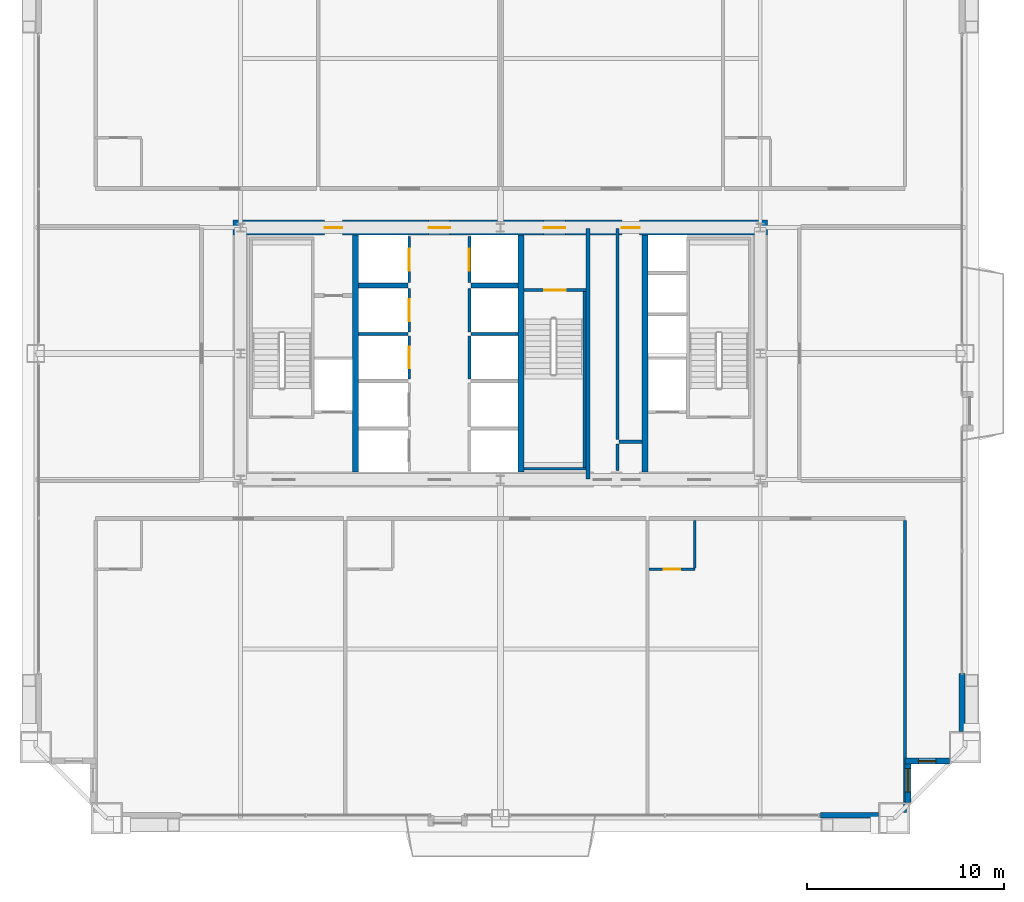
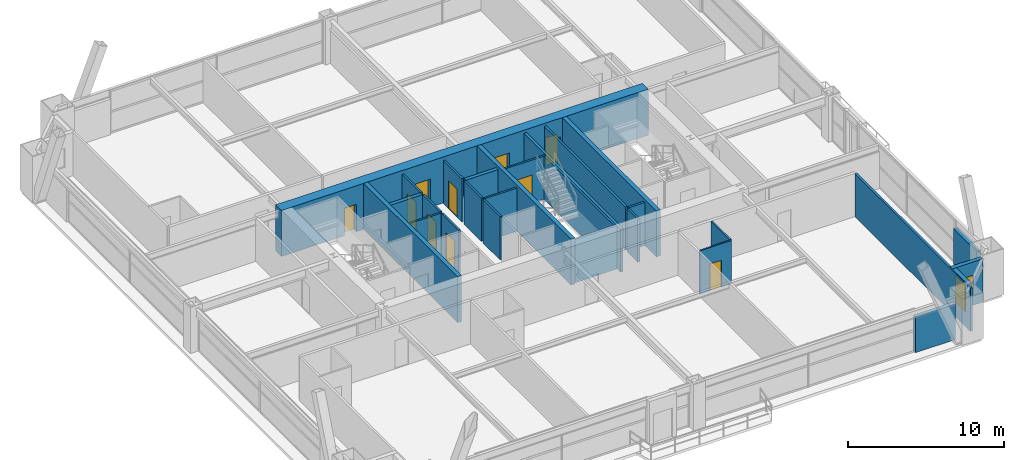
# One storey, part 40 of 43: 28 walls, 10 doors, 2 windows, 12 openings.
"""IFC4 building model written with IfcOpenShell, lengths in metres."""

from ifc_helpers import new_model, si_unit, direction, frame, frame_2d, origin, place, context, subcontext, project, spatial, rectangle, extrude, source, transform, mapped, material, layer, layer_set, type_object, element, fill, save


model = new_model("IFC4")

# Units and contexts
model_context = context("Model", 3, precision=1e-05, world=origin(), true_north=direction((0.0, 1.0)))
body_context = subcontext(model_context, "Body", "Model", "MODEL_VIEW")
ifc_project = project(units=[si_unit("LENGTHUNIT", "METRE"), si_unit("AREAUNIT", "SQUARE_METRE"), si_unit("VOLUMEUNIT", "CUBIC_METRE"), si_unit("PLANEANGLEUNIT", "RADIAN"), si_unit("MASSUNIT", "GRAM", prefix="KILO"), si_unit("THERMODYNAMICTEMPERATUREUNIT", "KELVIN"), si_unit("POWERUNIT", "WATT")], contexts=[model_context])

# Site, building, storey
site_placement = place(None, origin())
site = spatial("IfcSite", under=ifc_project, at=site_placement, CompositionType="ELEMENT")
building_placement = place(site_placement, origin())
building = spatial("IfcBuilding", under=site, at=building_placement, Name="Yuzanri Waterfront Tower", CompositionType="ELEMENT")
storey_placement = place(building_placement, frame((0.0, 0.0, 101.0)))
storey = spatial("IfcBuildingStorey", under=building, at=storey_placement, Name="L26", CompositionType="ELEMENT", Elevation=101.0)

# Wall, opening, door
ifc_material_1 = material(Name="Moisture-Resistant Gypsum Stud Wall", Category="gypsum")
ifc_layer_1 = layer(ifc_material_1, 0.1201171875)
ifc_layer_set_1 = layer_set([ifc_layer_1], Name="Moisture-Resistant Gypsum Stud Wall")
wall_type_1 = type_object("IfcWallType", Name="Bathroom and Kitchen Wet Partition 120", PredefinedType="PARTITIONING", material=ifc_layer_set_1)
wall_1_placement = place(storey_placement, frame((44.550048828125, 14.840087890625, 0.0), z_axis=(0.0, 0.0, 1.0), x_axis=(1.0, 0.0, 0.0)))
wall_1 = element("IfcWall", 1, at=wall_1_placement, inside=storey, type_object=wall_type_1, Name="L26 Partition UW-L26-S3-BS", PredefinedType="PARTITIONING", context=body_context, shape_type="SweptSolid", body=[
    extrude(rectangle(XDim=2.329833984375, YDim=0.1201171875, at=frame_2d((1.1650390625, 0.0))), origin(), (0.0, 0.0, 1.0), 3.3798828125),
])
opening_1_placement = place(wall_1_placement, frame((0.739990234375, 0.0, 0.0)))
opening_1 = element("IfcOpeningElement", 2, at=opening_1_placement, cuts=wall_1, Name="Opening ID-0850", PredefinedType="OPENING", context=body_context, shape_type="SweptSolid", body=[
    extrude(rectangle(XDim=0.85009765625, YDim=2.10009765625, at=frame_2d((0.425048828125, 1.050048828125))), frame((0.0, 0.074951171875, 0.0), z_axis=(0.0, -1.0, 0.0), x_axis=(1.0, 0.0, 0.0)), (0.0, 0.0, 1.0), 0.14990234375),
])
ifc_material_2 = material(Name="Moisture-Resistant Lacquered Timber", Category="wood")
door_type_1 = type_object("IfcDoorType", Name="En-Suite Bathroom and Kitchen Swing Door 850x2100", OperationType="NOTDEFINED", PredefinedType="DOOR", material=ifc_material_2)
shared_shape_1 = source(origin(), body_context, "Body", "SweptSolid", [
    extrude(rectangle(XDim=0.85009765625, YDim=2.10009765625, at=frame_2d((0.425048828125, 1.050048828125))), frame((0.0, 0.02490234375, 0.0), z_axis=(0.0, -1.0, 0.0), x_axis=(1.0, 0.0, 0.0)), (0.0, 0.0, 1.0), 0.050048828125),
])
door_1_placement = place(opening_1_placement, origin())
door_1 = element("IfcDoor", 3, at=door_1_placement, inside=storey, type_object=door_type_1, Name="L26 Guest En-Suite Door", OperationType="SINGLE_SWING_LEFT", OverallHeight=2.10009765625, OverallWidth=0.85009765625, PredefinedType="DOOR", context=body_context, shape_type="MappedRepresentation", body=[
    mapped(shared_shape_1, transform((0.0, 0.0, 0.0), scale=1.0)),
])
fill(opening_1, door_1)

# Wall, opening, window
ifc_material_3 = material(Name="Honed Chongqing Dark Basalt Stone", Category="masonry")
ifc_layer_2 = layer(ifc_material_3, 0.300048828125)
ifc_layer_set_2 = layer_set([ifc_layer_2], Name="Honed Chongqing Dark Basalt Stone")
wall_type_2 = type_object("IfcWallType", Name="Bronze Rainscreen Insulated Spandrel Portal Wall 300", PredefinedType="SOLIDWALL", material=ifc_layer_set_2)
wall_2_placement = place(storey_placement, frame((57.550048828125, 5.10009765625, 0.0), z_axis=(0.0, 0.0, 1.0), x_axis=(1.0, 0.0, 0.0)))
wall_2 = element("IfcWall", 4, at=wall_2_placement, inside=storey, type_object=wall_type_2, Name="L26 Notched Corner Masonry Wall SE-X", PredefinedType="SOLIDWALL", context=body_context, shape_type="SweptSolid", body=[
    extrude(rectangle(XDim=2.25, YDim=0.300048828125, at=frame_2d((1.125, 0.0))), origin(), (0.0, 0.0, 1.0), 3.3798828125),
])
opening_2_placement = place(wall_2_placement, frame((0.675048828125, 0.0, 0.85009765625)))
opening_2 = element("IfcOpeningElement", 5, at=opening_2_placement, cuts=wall_2, Name="Opening WN-05", PredefinedType="OPENING", context=body_context, shape_type="SweptSolid", body=[
    extrude(rectangle(XDim=0.89990234375, YDim=1.5, at=frame_2d((0.449951171875, 0.75))), frame((0.0, 0.1650390625, 0.0), z_axis=(0.0, -1.0, 0.0), x_axis=(1.0, 0.0, 0.0)), (0.0, 0.0, 1.0), 0.329833984375),
])
ifc_material_4 = material(Name="Double-Silver Low-E Insulated Glass", Category="glass")
window_type_1 = type_object("IfcWindowType", Name="Anodized Bronze Service and Stairwell Smoke-Vent Window 900x1500", PartitioningType="SINGLE_PANEL", PredefinedType="WINDOW", material=ifc_material_4)
shared_shape_2 = source(origin(), body_context, "Body", "SweptSolid", [
    extrude(rectangle(XDim=0.89990234375, YDim=1.5, at=frame_2d((0.449951171875, 0.75))), frame((0.0, 0.030029296875, 0.0), z_axis=(0.0, -1.0, 0.0), x_axis=(1.0, 0.0, 0.0)), (0.0, 0.0, 1.0), 0.06005859375),
])
window_1_placement = place(opening_2_placement, origin())
window_1 = element("IfcWindow", 6, at=window_1_placement, inside=storey, type_object=window_type_1, Name="L26 Notched Corner Window SE-X", OverallHeight=1.5, OverallWidth=0.89990234375, PartitioningType="SINGLE_PANEL", PredefinedType="WINDOW", context=body_context, shape_type="MappedRepresentation", body=[
    mapped(shared_shape_2, transform((0.0, 0.0, 0.0), scale=1.0)),
])
fill(opening_2, window_1)

wall_3_placement = place(storey_placement, frame((57.699951171875, 3.0, 0.0), z_axis=(0.0, 0.0, 1.0), x_axis=(0.0, 1.0, 0.0)))
wall_3 = element("IfcWall", 7, at=wall_3_placement, inside=storey, type_object=wall_type_2, Name="L26 Notched Corner Masonry Wall SE-Y", PredefinedType="SOLIDWALL", context=body_context, shape_type="SweptSolid", body=[
    extrude(rectangle(XDim=2.25, YDim=0.300048828125, at=frame_2d((1.125, 0.0))), origin(), (0.0, 0.0, 1.0), 3.3798828125),
])
opening_3_placement = place(wall_3_placement, frame((0.52490234375, 0.0, 0.85009765625)))
opening_3 = element("IfcOpeningElement", 8, at=opening_3_placement, cuts=wall_3, Name="Opening WN-02", PredefinedType="OPENING", context=body_context, shape_type="SweptSolid", body=[
    extrude(rectangle(XDim=1.199951171875, YDim=2.10009765625, at=frame_2d((0.60009765625, 1.050048828125))), frame((0.0, 0.1650390625, 0.0), z_axis=(0.0, -1.0, 0.0), x_axis=(1.0, 0.0, 0.0)), (0.0, 0.0, 1.0), 0.329833984375),
])
ifc_material_5 = material(Name="Double-Silver Low-E Insulated Glass", Category="glass")
window_type_2 = type_object("IfcWindowType", Name="Anodized Bronze Notched Corner Deep-Set Slot Window 1200x2100", PartitioningType="SINGLE_PANEL", PredefinedType="WINDOW", material=ifc_material_5)
shared_shape_3 = source(origin(), body_context, "Body", "SweptSolid", [
    extrude(rectangle(XDim=1.199951171875, YDim=2.10009765625, at=frame_2d((0.60009765625, 1.050048828125))), frame((0.0, 0.030029296875, 0.0), z_axis=(0.0, -1.0, 0.0), x_axis=(1.0, 0.0, 0.0)), (0.0, 0.0, 1.0), 0.06005859375),
])
window_2_placement = place(opening_3_placement, origin())
window_2 = element("IfcWindow", 9, at=window_2_placement, inside=storey, type_object=window_type_2, Name="L26 Notched Corner Window SE-Y", OverallHeight=2.10009765625, OverallWidth=1.199951171875, PartitioningType="SINGLE_PANEL", PredefinedType="WINDOW", context=body_context, shape_type="MappedRepresentation", body=[
    mapped(shared_shape_3, transform((0.0, 0.0, 0.0), scale=1.0)),
])
fill(opening_3, window_2)

# Wall, openings, doors
ifc_material_6 = material(Name="Concrete C55", Category="concrete")
ifc_layer_3 = layer(ifc_material_6, 0.75)
ifc_layer_set_3 = layer_set([ifc_layer_3], Name="Concrete C55")
wall_type_3 = type_object("IfcWallType", Name="Concrete C55 Low-Mid Zone Core Shear Wall 750", PredefinedType="SHEAR", material=ifc_layer_set_3)
wall_4_placement = place(storey_placement, frame((23.425048828125, 32.199951171875, 0.0), z_axis=(0.0, 0.0, 1.0), x_axis=(1.0, 0.0, 0.0)))
wall_4 = element("IfcWall", 10, at=wall_4_placement, inside=storey, type_object=wall_type_3, Name="L26 Core North Shear Wall", PredefinedType="SHEAR", context=body_context, shape_type="SweptSolid", body=[
    extrude(rectangle(XDim=27.14990234375, YDim=0.75, at=frame_2d((13.574951171875, 0.0))), origin(), (0.0, 0.0, 1.0), 3.60009765625),
])
opening_4_placement = place(wall_4_placement, frame((4.64501953125, 0.0, 0.0)))
opening_4 = element("IfcOpeningElement", 11, at=opening_4_placement, cuts=wall_4, Name="Opening FD-0900", PredefinedType="OPENING", context=body_context, shape_type="SweptSolid", body=[
    extrude(rectangle(XDim=0.89990234375, YDim=2.14990234375, at=frame_2d((0.449951171875, 1.074951171875))), frame((0.0, 0.389892578125, 0.0), z_axis=(0.0, -1.0, 0.0), x_axis=(1.0, 0.0, 0.0)), (0.0, 0.0, 1.0), 0.77978515625),
])
opening_5_placement = place(wall_4_placement, frame((9.925048828125, 0.0, 0.0)))
opening_5 = element("IfcOpeningElement", 12, at=opening_5_placement, cuts=wall_4, Name="Opening FD-1100", PredefinedType="OPENING", context=body_context, shape_type="SweptSolid", body=[
    extrude(rectangle(XDim=1.10009765625, YDim=2.199951171875, at=frame_2d((0.550048828125, 1.10009765625))), frame((0.0, 0.389892578125, 0.0), z_axis=(0.0, -1.0, 0.0), x_axis=(1.0, 0.0, 0.0)), (0.0, 0.0, 1.0), 0.77978515625),
])
opening_6_placement = place(wall_4_placement, frame((15.77490234375, 0.0, 0.0)))
opening_6 = element("IfcOpeningElement", 13, at=opening_6_placement, cuts=wall_4, Name="Opening FD-1100", PredefinedType="OPENING", context=body_context, shape_type="SweptSolid", body=[
    extrude(rectangle(XDim=1.10009765625, YDim=2.199951171875, at=frame_2d((0.550048828125, 1.10009765625))), frame((0.0, 0.389892578125, 0.0), z_axis=(0.0, -1.0, 0.0), x_axis=(1.0, 0.0, 0.0)), (0.0, 0.0, 1.0), 0.77978515625),
])
opening_7_placement = place(wall_4_placement, frame((19.7451171875, 0.0, 0.0)))
opening_7 = element("IfcOpeningElement", 14, at=opening_7_placement, cuts=wall_4, Name="Opening FD-0900", PredefinedType="OPENING", context=body_context, shape_type="SweptSolid", body=[
    extrude(rectangle(XDim=0.89990234375, YDim=2.14990234375, at=frame_2d((0.449951171875, 1.074951171875))), frame((0.0, 0.389892578125, 0.0), z_axis=(0.0, -1.0, 0.0), x_axis=(1.0, 0.0, 0.0)), (0.0, 0.0, 1.0), 0.77978515625),
])
ifc_material_7 = material(Name="Painted Galvanized Fire Steel", Category="steel")
door_type_2 = type_object("IfcDoorType", Name="Smoke-Proof Stair and Lobby Fire Door 1100x2200", OperationType="NOTDEFINED", PredefinedType="DOOR", material=ifc_material_7)
shared_shape_4 = source(origin(), body_context, "Body", "SweptSolid", [
    extrude(rectangle(XDim=1.10009765625, YDim=2.199951171875, at=frame_2d((0.550048828125, 1.10009765625))), frame((0.0, 0.02490234375, 0.0), z_axis=(0.0, -1.0, 0.0), x_axis=(1.0, 0.0, 0.0)), (0.0, 0.0, 1.0), 0.050048828125),
])
door_2_placement = place(opening_5_placement, origin())
door_2 = element("IfcDoor", 15, at=door_2_placement, inside=storey, type_object=door_type_2, Name="L26 Central Lift Lobby North Door", OperationType="SINGLE_SWING_RIGHT", OverallHeight=2.199951171875, OverallWidth=1.10009765625, PredefinedType="DOOR", context=body_context, shape_type="MappedRepresentation", body=[
    mapped(shared_shape_4, transform((0.0, 0.0, 0.0), scale=1.0)),
])
fill(opening_5, door_2)
door_3_placement = place(opening_6_placement, origin())
door_3 = element("IfcDoor", 16, at=door_3_placement, inside=storey, type_object=door_type_2, Name="L26 North Stair Lobby Door", OperationType="SINGLE_SWING_LEFT", OverallHeight=2.199951171875, OverallWidth=1.10009765625, PredefinedType="DOOR", context=body_context, shape_type="MappedRepresentation", body=[
    mapped(shared_shape_4, transform((0.0, 0.0, 0.0), scale=1.0)),
])
fill(opening_6, door_3)
ifc_material_8 = material(Name="Painted Galvanized Fire Steel", Category="steel")
door_type_3 = type_object("IfcDoorType", Name="Riser and Service Room Fire Door 900x2150", OperationType="NOTDEFINED", PredefinedType="DOOR", material=ifc_material_8)
shared_shape_5 = source(origin(), body_context, "Body", "SweptSolid", [
    extrude(rectangle(XDim=0.89990234375, YDim=2.14990234375, at=frame_2d((0.449951171875, 1.074951171875))), frame((0.0, 0.02490234375, 0.0), z_axis=(0.0, -1.0, 0.0), x_axis=(1.0, 0.0, 0.0)), (0.0, 0.0, 1.0), 0.050048828125),
])
door_4_placement = place(opening_4_placement, origin())
door_4 = element("IfcDoor", 17, at=door_4_placement, inside=storey, type_object=door_type_3, Name="L26 Telecom Riser Door", OperationType="SINGLE_SWING_LEFT", OverallHeight=2.14990234375, OverallWidth=0.89990234375, PredefinedType="DOOR", context=body_context, shape_type="MappedRepresentation", body=[
    mapped(shared_shape_5, transform((0.0, 0.0, 0.0), scale=1.0)),
])
fill(opening_4, door_4)
door_5_placement = place(opening_7_placement, origin())
door_5 = element("IfcDoor", 18, at=door_5_placement, inside=storey, type_object=door_type_3, Name="L26 Linen Store Room", OperationType="SINGLE_SWING_LEFT", OverallHeight=2.14990234375, OverallWidth=0.89990234375, PredefinedType="DOOR", context=body_context, shape_type="MappedRepresentation", body=[
    mapped(shared_shape_5, transform((0.0, 0.0, 0.0), scale=1.0)),
])
fill(opening_7, door_5)

# Wall, opening, door
ifc_material_9 = material(Name="Concrete C40", Category="concrete")
ifc_layer_4 = layer(ifc_material_9, 0.139892578125)
ifc_layer_set_4 = layer_set([ifc_layer_4], Name="Concrete C40")
wall_type_4 = type_object("IfcWallType", Name="Core Stair Liner and Hoistway Shaft Wall 140", PredefinedType="SOLIDWALL", material=ifc_layer_set_4)
wall_5_placement = place(storey_placement, frame((32.3701171875, 24.5, 0.0), z_axis=(0.0, 0.0, 1.0), x_axis=(0.0, 1.0, 0.0)))
wall_5 = element("IfcWall", 19, at=wall_5_placement, inside=storey, type_object=wall_type_4, Name="L26 Lift PL-03 Front Shaft Wall", PredefinedType="SOLIDWALL", context=body_context, shape_type="SweptSolid", body=[
    extrude(rectangle(XDim=2.199951171875, YDim=0.139892578125, at=frame_2d((1.10009765625, 0.0))), origin(), (0.0, 0.0, 1.0), 3.3798828125),
])
opening_8_placement = place(wall_5_placement, frame((0.550048828125, 0.0, 0.0)))
opening_8 = element("IfcOpeningElement", 20, at=opening_8_placement, cuts=wall_5, Name="Opening LD-PL-03", PredefinedType="OPENING", context=body_context, shape_type="SweptSolid", body=[
    extrude(rectangle(XDim=1.10009765625, YDim=2.199951171875, at=frame_2d((0.550048828125, 1.10009765625))), frame((0.0, 0.0849609375, 0.0), z_axis=(0.0, -1.0, 0.0), x_axis=(1.0, 0.0, 0.0)), (0.0, 0.0, 1.0), 0.169677734375),
])
ifc_material_10 = material(Name="Brushed Bronze and Stainless Steel Cab", Category="steel")
door_type_4 = type_object("IfcDoorType", Name="Center-Parting Bronze Lift Landing Sliding Door 1100x2200", OperationType="NOTDEFINED", PredefinedType="DOOR", material=ifc_material_10)
shared_shape_6 = source(origin(), body_context, "Body", "SweptSolid", [
    extrude(rectangle(XDim=1.10009765625, YDim=2.199951171875, at=frame_2d((0.550048828125, 1.10009765625))), frame((0.0, 0.02490234375, 0.0), z_axis=(0.0, -1.0, 0.0), x_axis=(1.0, 0.0, 0.0)), (0.0, 0.0, 1.0), 0.050048828125),
])
door_6_placement = place(opening_8_placement, origin())
door_6 = element("IfcDoor", 21, at=door_6_placement, inside=storey, type_object=door_type_4, Name="L26 PL-03 Lift Landing Sliding Door", OperationType="SLIDING_TO_LEFT", OverallHeight=2.199951171875, OverallWidth=1.10009765625, PredefinedType="DOOR", context=body_context, shape_type="MappedRepresentation", body=[
    mapped(shared_shape_6, transform((0.0, 0.0, 0.0), scale=1.0)),
])
fill(opening_8, door_6)

wall_6_placement = place(storey_placement, frame((32.3701171875, 26.89990234375, 0.0), z_axis=(0.0, 0.0, 1.0), x_axis=(0.0, 1.0, 0.0)))
wall_6 = element("IfcWall", 22, at=wall_6_placement, inside=storey, type_object=wall_type_4, Name="L26 Lift PL-04 Front Shaft Wall", PredefinedType="SOLIDWALL", context=body_context, shape_type="SweptSolid", body=[
    extrude(rectangle(XDim=2.2001953125, YDim=0.139892578125, at=frame_2d((1.10009765625, 0.0))), origin(), (0.0, 0.0, 1.0), 3.3798828125),
])
opening_9_placement = place(wall_6_placement, frame((0.550048828125, 0.0, 0.0)))
opening_9 = element("IfcOpeningElement", 23, at=opening_9_placement, cuts=wall_6, Name="Opening LD-PL-04", PredefinedType="OPENING", context=body_context, shape_type="SweptSolid", body=[
    extrude(rectangle(XDim=1.10009765625, YDim=2.199951171875, at=frame_2d((0.550048828125, 1.10009765625))), frame((0.0, 0.0849609375, 0.0), z_axis=(0.0, -1.0, 0.0), x_axis=(1.0, 0.0, 0.0)), (0.0, 0.0, 1.0), 0.169677734375),
])
door_7_placement = place(opening_9_placement, origin())
door_7 = element("IfcDoor", 24, at=door_7_placement, inside=storey, type_object=door_type_4, Name="L26 PL-04 Lift Landing Sliding Door", OperationType="SLIDING_TO_RIGHT", OverallHeight=2.199951171875, OverallWidth=1.10009765625, PredefinedType="DOOR", context=body_context, shape_type="MappedRepresentation", body=[
    mapped(shared_shape_6, transform((0.0, 0.0, 0.0), scale=1.0)),
])
fill(opening_9, door_7)

wall_7_placement = place(storey_placement, frame((32.3701171875, 29.39990234375, 0.0), z_axis=(0.0, 0.0, 1.0), x_axis=(0.0, 1.0, 0.0)))
wall_7 = element("IfcWall", 25, at=wall_7_placement, inside=storey, type_object=wall_type_4, Name="L26 Lift SL-01 Front Shaft Wall", PredefinedType="SOLIDWALL", context=body_context, shape_type="SweptSolid", body=[
    extrude(rectangle(XDim=2.340087890625, YDim=0.139892578125, at=frame_2d((1.169921875, 0.0))), origin(), (0.0, 0.0, 1.0), 3.3798828125),
])
opening_10_placement = place(wall_7_placement, frame((0.6201171875, 0.0, 0.0)))
opening_10 = element("IfcOpeningElement", 26, at=opening_10_placement, cuts=wall_7, Name="Opening LD-SL-01", PredefinedType="OPENING", context=body_context, shape_type="SweptSolid", body=[
    extrude(rectangle(XDim=1.10009765625, YDim=2.199951171875, at=frame_2d((0.550048828125, 1.10009765625))), frame((0.0, 0.0849609375, 0.0), z_axis=(0.0, -1.0, 0.0), x_axis=(1.0, 0.0, 0.0)), (0.0, 0.0, 1.0), 0.169677734375),
])
door_8_placement = place(opening_10_placement, origin())
door_8 = element("IfcDoor", 27, at=door_8_placement, inside=storey, type_object=door_type_4, Name="L26 SL-01 Lift Landing Sliding Door", OperationType="SLIDING_TO_LEFT", OverallHeight=2.199951171875, OverallWidth=1.10009765625, PredefinedType="DOOR", context=body_context, shape_type="MappedRepresentation", body=[
    mapped(shared_shape_6, transform((0.0, 0.0, 0.0), scale=1.0)),
])
fill(opening_10, door_8)

wall_8_placement = place(storey_placement, frame((35.429931640625, 29.39990234375, 0.0), z_axis=(0.0, 0.0, 1.0), x_axis=(0.0, 1.0, 0.0)))
wall_8 = element("IfcWall", 28, at=wall_8_placement, inside=storey, type_object=wall_type_4, Name="L26 Lift SL-02 Front Shaft Wall", PredefinedType="SOLIDWALL", context=body_context, shape_type="SweptSolid", body=[
    extrude(rectangle(XDim=2.340087890625, YDim=0.139892578125, at=frame_2d((1.169921875, 0.0))), origin(), (0.0, 0.0, 1.0), 3.3798828125),
])
opening_11_placement = place(wall_8_placement, frame((0.6201171875, 0.0, 0.0)))
opening_11 = element("IfcOpeningElement", 29, at=opening_11_placement, cuts=wall_8, Name="Opening LD-SL-02", PredefinedType="OPENING", context=body_context, shape_type="SweptSolid", body=[
    extrude(rectangle(XDim=1.10009765625, YDim=2.199951171875, at=frame_2d((0.550048828125, 1.10009765625))), frame((0.0, 0.0849609375, 0.0), z_axis=(0.0, -1.0, 0.0), x_axis=(1.0, 0.0, 0.0)), (0.0, 0.0, 1.0), 0.169677734375),
])
door_9_placement = place(opening_11_placement, origin())
door_9 = element("IfcDoor", 30, at=door_9_placement, inside=storey, type_object=door_type_4, Name="L26 SL-02 Lift Landing Sliding Door", OperationType="SLIDING_TO_RIGHT", OverallHeight=2.199951171875, OverallWidth=1.10009765625, PredefinedType="DOOR", context=body_context, shape_type="MappedRepresentation", body=[
    mapped(shared_shape_6, transform((0.0, 0.0, 0.0), scale=1.0)),
])
fill(opening_11, door_9)

wall_9_placement = place(storey_placement, frame((38.199951171875, 29.030029296875, 0.0), z_axis=(0.0, 0.0, 1.0), x_axis=(1.0, 0.0, 0.0)))
wall_9 = element("IfcWall", 31, at=wall_9_placement, inside=storey, type_object=wall_type_4, Name="L26 Shaft Wall STW-L26-ST-03-N", PredefinedType="SOLIDWALL", context=body_context, shape_type="SweptSolid", body=[
    extrude(rectangle(XDim=3.14013671875, YDim=0.139892578125, at=frame_2d((1.570068359375, 0.0))), origin(), (0.0, 0.0, 1.0), 3.3798828125),
])
opening_12_placement = place(wall_9_placement, frame((1.02001953125, 0.0, 0.0)))
opening_12 = element("IfcOpeningElement", 32, at=opening_12_placement, cuts=wall_9, Name="Opening FD-1100", PredefinedType="OPENING", context=body_context, shape_type="SweptSolid", body=[
    extrude(rectangle(XDim=1.10009765625, YDim=2.199951171875, at=frame_2d((0.550048828125, 1.10009765625))), frame((0.0, 0.0849609375, 0.0), z_axis=(0.0, -1.0, 0.0), x_axis=(1.0, 0.0, 0.0)), (0.0, 0.0, 1.0), 0.169677734375),
])
door_10_placement = place(opening_12_placement, origin())
door_10 = element("IfcDoor", 33, at=door_10_placement, inside=storey, type_object=door_type_2, Name="L26 Stair ST-03 Fire Door", OperationType="SINGLE_SWING_LEFT", OverallHeight=2.199951171875, OverallWidth=1.10009765625, PredefinedType="DOOR", context=body_context, shape_type="MappedRepresentation", body=[
    mapped(shared_shape_4, transform((0.0, 0.0, 0.0), scale=1.0)),
])
fill(opening_12, door_10)

# Walls
ifc_material_11 = material(Name="Concrete C50", Category="concrete")
ifc_layer_5 = layer(ifc_material_11, 0.300048828125)
ifc_layer_set_5 = layer_set([ifc_layer_5], Name="Concrete C50")
wall_type_5 = type_object("IfcWallType", Name="Concrete C50 Internal Core Shaft Structural Wall 300", PredefinedType="SOLIDWALL", material=ifc_layer_set_5)
shared_shape_7 = source(origin(), body_context, "Body", "SweptSolid", [
    extrude(rectangle(XDim=12.050048828125, YDim=0.300048828125, at=frame_2d((6.02490234375, 0.0))), origin(), (0.0, 0.0, 1.0), 3.60009765625),
])
for number, where, z_axis, x_axis, name in (
    (34, (29.64990234375, 19.77490234375, 0.0), (0.0, 0.0, 1.0), (0.0, 1.0, 0.0), "L26 Core Internal Structural Web Wall 1"),
    (35, (38.050048828125, 19.77490234375, 0.0), (0.0, 0.0, 1.0), (0.0, 1.0, 0.0), "L26 Core Internal Structural Web Wall 2"),
    (36, (44.35009765625, 19.77490234375, 0.0), (0.0, 0.0, 1.0), (0.0, 1.0, 0.0), "L26 Core Internal Structural Web Wall 3"),
):
    element("IfcWall", number, at=place(storey_placement, frame(where, z_axis=z_axis, x_axis=x_axis)), inside=storey, type_object=wall_type_5, Name=name, PredefinedType="SOLIDWALL", context=body_context, shape_type="MappedRepresentation", body=[
        mapped(shared_shape_7, transform((0.0, 0.0, 0.0), scale=1.0)),
    ])
shared_shape_8 = source(origin(), body_context, "Body", "SweptSolid", [
    extrude(rectangle(XDim=2.949951171875, YDim=0.300048828125, at=frame_2d((1.47509765625, 0.0))), origin(), (0.0, 0.0, 1.0), 2.77490234375),
])
for number, where, z_axis, x_axis, name in (
    (37, (53.25, 2.35009765625, 0.0), (0.0, 0.0, 1.0), (1.0, 0.0, 0.0), "L26 S Right Braced Masonry Shoulder"),
    (38, (60.449951171875, 6.60009765625, 0.0), (0.0, 0.0, 1.0), (0.0, 1.0, 0.0), "L26 E Left Braced Masonry Shoulder"),
):
    element("IfcWall", number, at=place(storey_placement, frame(where, z_axis=z_axis, x_axis=x_axis)), inside=storey, type_object=wall_type_2, Name=name, PredefinedType="SOLIDWALL", context=body_context, shape_type="MappedRepresentation", body=[
        mapped(shared_shape_8, transform((0.0, 0.0, 0.0), scale=1.0)),
    ])
shared_shape_9 = source(origin(), body_context, "Body", "SweptSolid", [
    extrude(rectangle(XDim=2.5, YDim=0.139892578125, at=frame_2d((1.25, 0.0))), origin(), (0.0, 0.0, 1.0), 3.3798828125),
])
wall_10_placement = place(storey_placement, frame((29.800048828125, 26.800048828125, 0.0), z_axis=(0.0, 0.0, 1.0), x_axis=(1.0, 0.0, 0.0)))
element("IfcWall", 39, at=wall_10_placement, inside=storey, type_object=wall_type_4, Name="L26 Lift PL-03 Divider Wall", PredefinedType="SOLIDWALL", context=body_context, shape_type="MappedRepresentation", body=[
    mapped(shared_shape_9, transform((0.0, 0.0, 0.0), scale=1.0)),
])
ifc_material_12 = material(Name="Concrete C40", Category="concrete")
ifc_layer_6 = layer(ifc_material_12, 0.25)
ifc_layer_set_6 = layer_set([ifc_layer_6], Name="Concrete C40")
wall_type_6 = type_object("IfcWallType", Name="Smoke-Proof Stair and Lift Shaft Wall 250", PredefinedType="SOLIDWALL", material=ifc_layer_set_6)
shared_shape_10 = source(origin(), body_context, "Body", "SweptSolid", [
    extrude(rectangle(XDim=2.5, YDim=0.25, at=frame_2d((1.25, 0.0))), origin(), (0.0, 0.0, 1.0), 3.3798828125),
])
wall_11_placement = place(storey_placement, frame((29.800048828125, 29.25, 0.0), z_axis=(0.0, 0.0, 1.0), x_axis=(1.0, 0.0, 0.0)))
element("IfcWall", 40, at=wall_11_placement, inside=storey, type_object=wall_type_6, Name="L26 Lift SL-01 South Shaft Wall", PredefinedType="SOLIDWALL", context=body_context, shape_type="MappedRepresentation", body=[
    mapped(shared_shape_10, transform((0.0, 0.0, 0.0), scale=1.0)),
])
shared_shape_11 = source(origin(), body_context, "Body", "SweptSolid", [
    extrude(rectangle(XDim=2.39990234375, YDim=0.139892578125, at=frame_2d((1.199951171875, 0.0))), origin(), (0.0, 0.0, 1.0), 3.3798828125),
])
wall_12_placement = place(storey_placement, frame((35.5, 26.800048828125, 0.0), z_axis=(0.0, 0.0, 1.0), x_axis=(1.0, 0.0, 0.0)))
element("IfcWall", 41, at=wall_12_placement, inside=storey, type_object=wall_type_4, Name="L26 Lift PL-07 Divider Wall", PredefinedType="SOLIDWALL", context=body_context, shape_type="MappedRepresentation", body=[
    mapped(shared_shape_11, transform((0.0, 0.0, 0.0), scale=1.0)),
])
shared_shape_12 = source(origin(), body_context, "Body", "SweptSolid", [
    extrude(rectangle(XDim=2.199951171875, YDim=0.139892578125, at=frame_2d((1.10009765625, 0.0))), origin(), (0.0, 0.0, 1.0), 3.3798828125),
])
wall_13_placement = place(storey_placement, frame((35.429931640625, 24.5, 0.0), z_axis=(0.0, 0.0, 1.0), x_axis=(0.0, 1.0, 0.0)))
element("IfcWall", 42, at=wall_13_placement, inside=storey, type_object=wall_type_4, Name="L26 Lift PL-07 Front Shaft Wall", PredefinedType="SOLIDWALL", context=body_context, shape_type="MappedRepresentation", body=[
    mapped(shared_shape_12, transform((0.0, 0.0, 0.0), scale=1.0)),
])
shared_shape_13 = source(origin(), body_context, "Body", "SweptSolid", [
    extrude(rectangle(XDim=2.2001953125, YDim=0.139892578125, at=frame_2d((1.10009765625, 0.0))), origin(), (0.0, 0.0, 1.0), 3.3798828125),
])
wall_14_placement = place(storey_placement, frame((35.429931640625, 26.89990234375, 0.0), z_axis=(0.0, 0.0, 1.0), x_axis=(0.0, 1.0, 0.0)))
element("IfcWall", 43, at=wall_14_placement, inside=storey, type_object=wall_type_4, Name="L26 Lift PL-08 Front Shaft Wall", PredefinedType="SOLIDWALL", context=body_context, shape_type="MappedRepresentation", body=[
    mapped(shared_shape_13, transform((0.0, 0.0, 0.0), scale=1.0)),
])
shared_shape_14 = source(origin(), body_context, "Body", "SweptSolid", [
    extrude(rectangle(XDim=2.39990234375, YDim=0.25, at=frame_2d((1.199951171875, 0.0))), origin(), (0.0, 0.0, 1.0), 3.3798828125),
])
wall_15_placement = place(storey_placement, frame((35.5, 29.25, 0.0), z_axis=(0.0, 0.0, 1.0), x_axis=(1.0, 0.0, 0.0)))
element("IfcWall", 44, at=wall_15_placement, inside=storey, type_object=wall_type_6, Name="L26 Lift SL-02 South Shaft Wall", PredefinedType="SOLIDWALL", context=body_context, shape_type="MappedRepresentation", body=[
    mapped(shared_shape_14, transform((0.0, 0.0, 0.0), scale=1.0)),
])
shared_shape_15 = source(origin(), body_context, "Body", "SweptSolid", [
    extrude(rectangle(XDim=3.14013671875, YDim=0.139892578125, at=frame_2d((1.570068359375, 0.0))), origin(), (0.0, 0.0, 1.0), 3.3798828125),
])
wall_16_placement = place(storey_placement, frame((38.199951171875, 19.949951171875, 0.0), z_axis=(0.0, 0.0, 1.0), x_axis=(1.0, 0.0, 0.0)))
element("IfcWall", 45, at=wall_16_placement, inside=storey, type_object=wall_type_4, Name="L26 Stair ST-03 South Shaft Wall", PredefinedType="SOLIDWALL", context=body_context, shape_type="MappedRepresentation", body=[
    mapped(shared_shape_15, transform((0.0, 0.0, 0.0), scale=1.0)),
])
shared_shape_16 = source(origin(), body_context, "Body", "SweptSolid", [
    extrude(rectangle(XDim=8.93994140625, YDim=0.139892578125, at=frame_2d((4.469970703125, 0.0))), origin(), (0.0, 0.0, 1.0), 3.3798828125),
])
wall_17_placement = place(storey_placement, frame((41.27001953125, 20.02001953125, 0.0), z_axis=(0.0, 0.0, 1.0), x_axis=(0.0, 1.0, 0.0)))
element("IfcWall", 46, at=wall_17_placement, inside=storey, type_object=wall_type_4, Name="L26 Stair ST-03 East Shaft Wall", PredefinedType="SOLIDWALL", context=body_context, shape_type="MappedRepresentation", body=[
    mapped(shared_shape_16, transform((0.0, 0.0, 0.0), scale=1.0)),
])
ifc_material_13 = material(Name="Gypsum Fireboard Acoustic Stud Wall", Category="gypsum")
ifc_layer_7 = layer(ifc_material_13, 0.159912109375)
ifc_layer_set_7 = layer_set([ifc_layer_7], Name="Gypsum Fireboard Acoustic Stud Wall")
wall_type_7 = type_object("IfcWallType", Name="Acoustic Suite Demising Partition 160", PredefinedType="PARTITIONING", material=ifc_layer_set_7)
shared_shape_17 = source(origin(), body_context, "Body", "SweptSolid", [
    extrude(rectangle(XDim=1.33984375, YDim=0.159912109375, at=frame_2d((0.669921875, 0.0))), origin(), (0.0, 0.0, 1.0), 3.3798828125),
])
wall_18_placement = place(storey_placement, frame((42.949951171875, 19.860107421875, 0.0), z_axis=(0.0, 0.0, 1.0), x_axis=(0.0, 1.0, 0.0)))
element("IfcWall", 47, at=wall_18_placement, inside=storey, type_object=wall_type_7, Name="L26 East Wet Riser West Wall", PredefinedType="PARTITIONING", context=body_context, shape_type="MappedRepresentation", body=[
    mapped(shared_shape_17, transform((0.0, 0.0, 0.0), scale=1.0)),
])
shared_shape_18 = source(origin(), body_context, "Body", "SweptSolid", [
    extrude(rectangle(XDim=1.169921875, YDim=0.159912109375, at=frame_2d((0.5849609375, 0.0))), origin(), (0.0, 0.0, 1.0), 3.3798828125),
])
wall_19_placement = place(storey_placement, frame((43.030029296875, 21.320068359375, 0.0), z_axis=(0.0, 0.0, 1.0), x_axis=(1.0, 0.0, 0.0)))
element("IfcWall", 48, at=wall_19_placement, inside=storey, type_object=wall_type_7, Name="L26 East Wet Riser North Wall", PredefinedType="PARTITIONING", context=body_context, shape_type="MappedRepresentation", body=[
    mapped(shared_shape_18, transform((0.0, 0.0, 0.0), scale=1.0)),
])
ifc_material_14 = material(Name="Autoclaved Aerated Concrete Blockwork", Category="masonry")
ifc_layer_8 = layer(ifc_material_14, 0.199951171875)
ifc_layer_set_8 = layer_set([ifc_layer_8], Name="Autoclaved Aerated Concrete Blockwork")
wall_type_8 = type_object("IfcWallType", Name="Corridor and Unit Party Fire Wall 200", PredefinedType="PARTITIONING", material=ifc_layer_set_8)
shared_shape_19 = source(origin(), body_context, "Body", "SweptSolid", [
    extrude(rectangle(XDim=12.719970703125, YDim=0.199951171875, at=frame_2d((6.35986328125, 0.0))), origin(), (0.0, 0.0, 1.0), 3.3798828125),
])
wall_20_placement = place(storey_placement, frame((41.449951171875, 19.43994140625, 0.0), z_axis=(0.0, 0.0, 1.0), x_axis=(0.0, 1.0, 0.0)))
element("IfcWall", 49, at=wall_20_placement, inside=storey, type_object=wall_type_8, Name="L26 Core BOH West Wall 1", PredefinedType="PARTITIONING", context=body_context, shape_type="MappedRepresentation", body=[
    mapped(shared_shape_19, transform((0.0, 0.0, 0.0), scale=1.0)),
])
shared_shape_20 = source(origin(), body_context, "Body", "SweptSolid", [
    extrude(rectangle(XDim=2.420166015625, YDim=0.1201171875, at=frame_2d((1.2099609375, 0.0))), origin(), (0.0, 0.0, 1.0), 3.3798828125),
])
wall_21_placement = place(storey_placement, frame((46.8798828125, 14.89990234375, 0.0), z_axis=(0.0, 0.0, 1.0), x_axis=(0.0, 1.0, 0.0)))
element("IfcWall", 50, at=wall_21_placement, inside=storey, type_object=wall_type_1, Name="L26-S3 En-Suite Side Wall", PredefinedType="PARTITIONING", context=body_context, shape_type="MappedRepresentation", body=[
    mapped(shared_shape_20, transform((0.0, 0.0, 0.0), scale=1.0)),
])
shared_shape_21 = source(origin(), body_context, "Body", "SweptSolid", [
    extrude(rectangle(XDim=10.719970703125, YDim=0.159912109375, at=frame_2d((5.35986328125, 0.0))), origin(), (0.0, 0.0, 1.0), 3.3798828125),
])
wall_22_placement = place(storey_placement, frame((42.949951171875, 21.43994140625, 0.0), z_axis=(0.0, 0.0, 1.0), x_axis=(0.0, 1.0, 0.0)))
element("IfcWall", 51, at=wall_22_placement, inside=storey, type_object=wall_type_7, Name="L26 Core BOH Mid Wall 2", PredefinedType="PARTITIONING", context=body_context, shape_type="MappedRepresentation", body=[
    mapped(shared_shape_21, transform((0.0, 0.0, 0.0), scale=1.0)),
])
shared_shape_22 = source(origin(), body_context, "Body", "SweptSolid", [
    extrude(rectangle(XDim=14.820068359375, YDim=0.159912109375, at=frame_2d((7.41015625, 0.0))), origin(), (0.0, 0.0, 1.0), 3.3798828125),
])
wall_23_placement = place(storey_placement, frame((57.550048828125, 2.5, 0.0), z_axis=(0.0, 0.0, 1.0), x_axis=(0.0, 1.0, 0.0)))
element("IfcWall", 52, at=wall_23_placement, inside=storey, type_object=wall_type_7, Name="L26 South Band East End Wall", PredefinedType="PARTITIONING", context=body_context, shape_type="MappedRepresentation", body=[
    mapped(shared_shape_22, transform((0.0, 0.0, 0.0), scale=1.0)),
])

save(model, "model.ifc")
